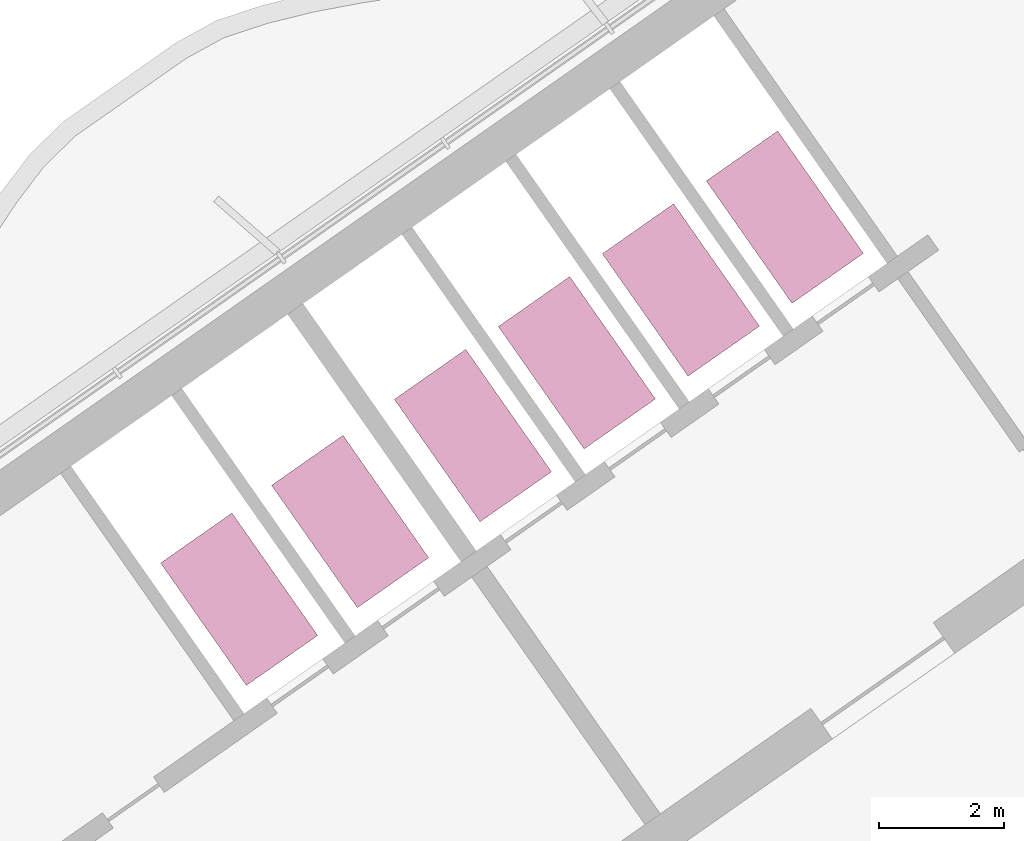
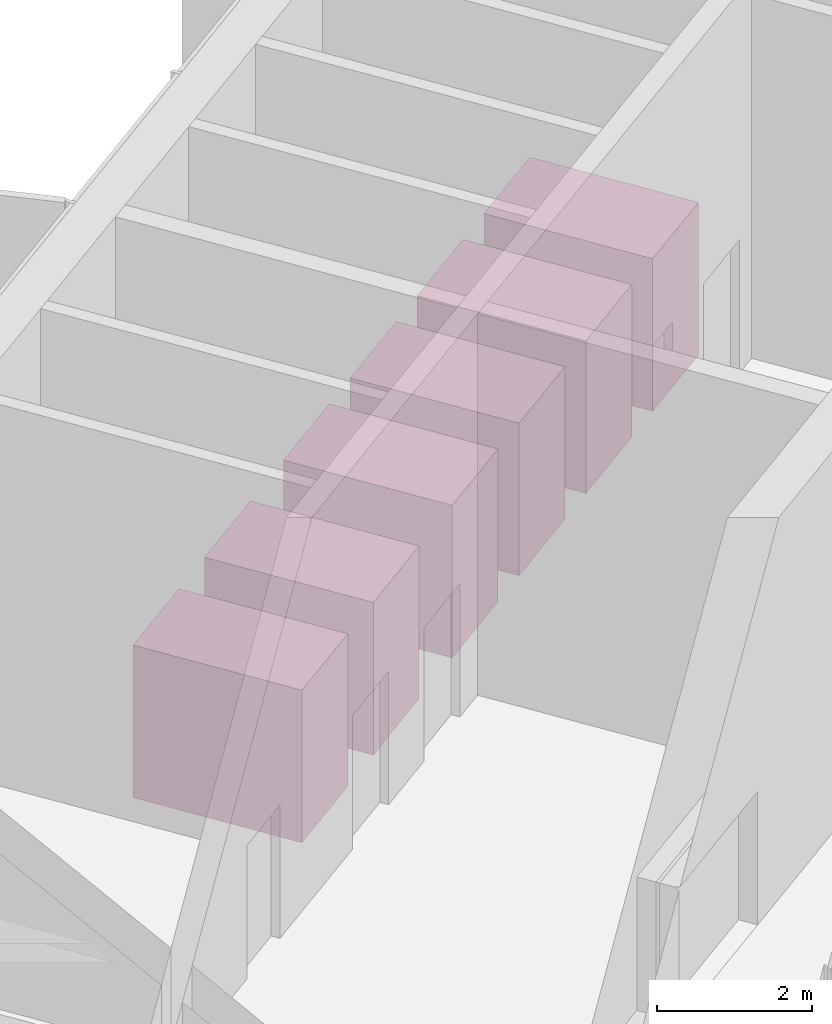
# One storey, part 22 of 22: 6 transport elements.
"""IFC4 building model written with IfcOpenShell, lengths in metres."""

import ifcopenshell
import ifcopenshell.guid

model = None  # the IFC model being written
_history = None  # IfcOwnerHistory: only IFC2X3 demands one
_inside = {}  # id of a spatial element -> (the spatial element, [elements in it])
_under = {}  # id of a project, library or spatial element -> (it, [spatial elements below it])
_declared = {}  # id of a project -> (the project, [libraries it declares])
_typed = {}  # id of a type object -> (the type object, [elements of that type])
_made_of = {}  # id of a material, layer set ... -> (it, [elements and type objects made of it])


def new_model(schema):
    """Start an empty IFC model of exactly this schema.

    Asked for "IFC4X3", IfcOpenShell would pick the latest addendum, in which some entities
    have other attributes; the version numbers below select the first issue.
    IFC2X3 requires an IfcOwnerHistory on every rooted entity: one is made here for all.
    """
    global model, _history
    if schema == "IFC4X3":
        model = ifcopenshell.file(schema_version=(4, 3, 0, 0))
    else:
        model = ifcopenshell.file(schema=schema)
    _inside.clear()
    _under.clear()
    _declared.clear()
    _typed.clear()
    _made_of.clear()
    _history = None
    if model.schema == "IFC2X3":
        org = make("IfcOrganization", Name="unknown")
        user = make(
            "IfcPersonAndOrganization",
            ThePerson=make("IfcPerson", FamilyName="unknown"),
            TheOrganization=org,
        )
        app = make(
            "IfcApplication",
            ApplicationDeveloper=org,
            Version="unknown",
            ApplicationFullName="unknown",
            ApplicationIdentifier="unknown",
        )
        _history = make(
            "IfcOwnerHistory",
            OwningUser=user,
            OwningApplication=app,
            ChangeAction="ADDED",
            CreationDate=0,
        )
    return model


def make(cls, **values):
    """One entity of the class cls with the attributes given. An attribute that is None is left unset."""
    return model.create_entity(
        cls, **{name: value for name, value in values.items() if value is not None}
    )


def rooted(cls, **values):
    """An entity with a GlobalId (a new one), such as an element, a storey or a relation."""
    return make(cls, GlobalId=ifcopenshell.guid.new(), OwnerHistory=_history, **values)


def si_unit(unit_type, name, prefix=None):
    """IfcSIUnit, for example si_unit("LENGTHUNIT", "METRE", prefix="MILLI")."""
    return make("IfcSIUnit", UnitType=unit_type, Prefix=prefix, Name=name)


def assignment(units):
    """IfcUnitAssignment: the units of a project."""
    return None if units is None else make("IfcUnitAssignment", Units=units)


def point(xyz):
    """IfcCartesianPoint."""
    return None if xyz is None else make("IfcCartesianPoint", Coordinates=xyz)


def direction(xyz):
    """IfcDirection."""
    return None if xyz is None else make("IfcDirection", DirectionRatios=xyz)


def frame(location, z_axis=None, x_axis=None):
    """IfcAxis2Placement3D, a coordinate frame: its origin and axes. An axis left out is left unset."""
    return make(
        "IfcAxis2Placement3D",
        Location=point(location),
        Axis=direction(z_axis),
        RefDirection=direction(x_axis),
    )


def frame_2d(location, x_axis=None):
    """IfcAxis2Placement2D, a coordinate frame in the plane: its origin and x axis."""
    return make(
        "IfcAxis2Placement2D", Location=point(location), RefDirection=direction(x_axis)
    )


def origin():
    """The frame at (0, 0, 0) with its axes left unset."""
    return frame((0.0, 0.0, 0.0))


def origin_2d():
    """The frame at (0, 0) in the plane with its x axis left unset."""
    return frame_2d((0.0, 0.0))


def place(relative_to, where):
    """IfcLocalPlacement: puts the frame where relative to a parent placement (None: the world)."""
    return make(
        "IfcLocalPlacement", PlacementRelTo=relative_to, RelativePlacement=where
    )


def context(
    kind, dimensions, precision=None, world=None, true_north=None, identifier=None
):
    """IfcGeometricRepresentationContext, for example the 3D "Model" context."""
    return make(
        "IfcGeometricRepresentationContext",
        ContextIdentifier=identifier,
        ContextType=kind,
        CoordinateSpaceDimension=dimensions,
        Precision=precision,
        WorldCoordinateSystem=world,
        TrueNorth=true_north,
    )


def subcontext(parent, identifier, kind, view, scale=None):
    """IfcGeometricRepresentationSubContext, for example "Body" below "Model"."""
    return make(
        "IfcGeometricRepresentationSubContext",
        ContextIdentifier=identifier,
        ContextType=kind,
        ParentContext=parent,
        TargetScale=scale,
        TargetView=view,
    )


def project(units=None, contexts=None):
    """IfcProject with its units and contexts."""
    return rooted(
        "IfcProject",
        Name="project",
        RepresentationContexts=contexts,
        UnitsInContext=assignment(units),
    )


def spatial(cls, under=None, at=None, **own):
    """A site, building, storey or space (cls), placed at a placement, below another one or the project."""
    s = rooted(cls, ObjectPlacement=at, **own)
    if under is not None:
        _under.setdefault(under.id(), (under, []))[1].append(s)
    return s


def profile(cls, at=None, kind="AREA", **sizes):
    """A parametric profile (cls). Its sizes go by their IFC names, for example OverallWidth=200.0."""
    return make(cls, ProfileType=kind, Position=at, **sizes)


def rectangle(**sizes):
    """IfcRectangleProfileDef."""
    return profile("IfcRectangleProfileDef", **sizes)


def extrude(swept, where, along, depth):
    """IfcExtrudedAreaSolid: the profile swept, set in the frame where, extruded along a direction by depth."""
    return make(
        "IfcExtrudedAreaSolid",
        SweptArea=swept,
        Position=where,
        ExtrudedDirection=direction(along),
        Depth=depth,
    )


def shape(context_of_items, identifier, shape_type, items):
    """IfcShapeRepresentation: the items that make up one representation, for example the "Body"."""
    return make(
        "IfcShapeRepresentation",
        ContextOfItems=context_of_items,
        RepresentationIdentifier=identifier,
        RepresentationType=shape_type,
        Items=items,
    )


def material(Name=None, Category=None):
    """IfcMaterial."""
    return make("IfcMaterial", Name=Name, Category=Category)


def made_of(thing, what):
    """Note that an element or type object is made of a material, layer set ...; save() writes the relation."""
    if what is not None:
        _made_of.setdefault(what.id(), (what, []))[1].append(thing)
    return thing


def type_object(cls, material=None, **own):
    """A type object (cls), such as IfcWallType, which elements share."""
    return made_of(rooted(cls, **own), material)


def element(
    cls,
    number,
    at=None,
    inside=None,
    cuts=None,
    type_object=None,
    material=None,
    context=None,
    identifier="Body",
    shape_type=None,
    held_by="IfcProductDefinitionShape",
    body=None,
    shapes=None,
    **own,
):
    """One element of the class cls, such as IfcWall. Its Tag is "e" and its number.

    at: its placement. inside: the storey or other place that contains it. cuts: it is an
    opening in that element (IfcRelVoidsElement). A single representation is given by context,
    identifier, shape_type and body (its items); several are given by shapes. held_by: the class
    of the entity that holds the representations. save() writes the other relations.
    """
    e = rooted(cls, Tag="e%d" % number, ObjectPlacement=at, **own)
    if body is not None:
        shapes = [shape(context, identifier, shape_type, body)]
    if shapes is not None:
        e.Representation = make(held_by, Representations=shapes)
    if inside is not None:
        _inside.setdefault(inside.id(), (inside, []))[1].append(e)
    if cuts is not None:
        rooted(
            "IfcRelVoidsElement", RelatingBuildingElement=cuts, RelatedOpeningElement=e
        )
    if type_object is not None:
        _typed.setdefault(type_object.id(), (type_object, []))[1].append(e)
    return made_of(e, material)


def aggregate(whole, parts):
    """IfcRelAggregates: a whole, such as a stair, and the parts it consists of."""
    return rooted("IfcRelAggregates", RelatingObject=whole, RelatedObjects=parts)


def save(model, path):
    """Write the relations noted so far, then the file.

    IfcRelAggregates (storeys below a building ...), IfcRelContainedInSpatialStructure (elements
    in a storey), IfcRelDefinesByType, IfcRelAssociatesMaterial and IfcRelDeclares: one each for
    every whole, place, type object, material and project.
    """
    for whole, parts in _under.values():
        aggregate(whole, parts)
    for where, things in _inside.values():
        rooted(
            "IfcRelContainedInSpatialStructure",
            RelatedElements=things,
            RelatingStructure=where,
        )
    for kind, things in _typed.values():
        rooted("IfcRelDefinesByType", RelatedObjects=things, RelatingType=kind)
    for what, things in _made_of.values():
        rooted("IfcRelAssociatesMaterial", RelatedObjects=things, RelatingMaterial=what)
    for by, libraries in _declared.values():
        rooted("IfcRelDeclares", RelatingContext=by, RelatedDefinitions=libraries)
    model.write(path)


model = new_model("IFC4")

# Units and contexts
model_context = context("Model", 3, precision=1e-05, world=origin(), true_north=direction((0.0, 1.0)))
body_context = subcontext(model_context, "Body", "Model", "MODEL_VIEW")
ifc_project = project(units=[si_unit("LENGTHUNIT", "METRE"), si_unit("AREAUNIT", "SQUARE_METRE"), si_unit("VOLUMEUNIT", "CUBIC_METRE"), si_unit("PLANEANGLEUNIT", "RADIAN"), si_unit("MASSUNIT", "GRAM", prefix="KILO")], contexts=[model_context])

# Site, building, storey
site_placement = place(None, origin())
site = spatial("IfcSite", under=ifc_project, at=site_placement, CompositionType="ELEMENT")
building_placement = place(site_placement, origin())
building = spatial("IfcBuilding", under=site, at=building_placement, Name="Tel Ilan Convention Tower", CompositionType="ELEMENT")
storey_placement = place(building_placement, frame((0.0, 0.0, 219.39990234375)))
storey = spatial("IfcBuildingStorey", under=building, at=storey_placement, Name="L51", CompositionType="ELEMENT", Elevation=219.39990234375)

# Transport elements
ifc_material = material(Name="Stainless Steel Grade 316", Category="steel")
transport_element_type = type_object("IfcTransportElementType", Name="Passenger Lift Car 1600 kg 1400 x 2400", PredefinedType="ELEVATOR", material=ifc_material)
for number, where, z_axis, x_axis, name in (
    (1, (-5.021484375, 4.1748046875, 0.000244140625), (0.0, 0.0, 1.0), (-0.819152044289, -0.573576436351, 0.0), "Lift HR1"),
    (2, (-6.6904296875, 3.006103515625, 0.000244140625), (0.0, 0.0, 1.0), (-0.819152044289, -0.573576436351, 0.0), "Lift HR2"),
    (3, (-8.359619140625, 1.83740234375, 0.000244140625), (0.0, 0.0, 1.0), (-0.819152044289, -0.573576436351, 0.0), "Lift HR3"),
    (4, (-10.028564453125, 0.668701171875, 0.000244140625), (0.0, 0.0, 1.0), (-0.819152044289, -0.573576436351, 0.0), "Lift HR4"),
    (5, (-11.99951171875, -0.711181640625, 0.000244140625), (0.0, 0.0, 1.0), (-0.819152044289, -0.573576436351, 0.0), "Lift HR5"),
    (6, (-13.78125, -1.958984375, 0.000244140625), (0.0, 0.0, 1.0), (-0.819152044289, -0.573576436351, 0.0), "Lift HR6"),
):
    element("IfcTransportElement", number, at=place(storey_placement, frame(where, z_axis=z_axis, x_axis=x_axis)), inside=storey, type_object=transport_element_type, Name=name, PredefinedType="ELEVATOR", context=body_context, shape_type="SweptSolid", body=[
        extrude(rectangle(XDim=1.39990234375, YDim=2.39990234375, at=origin_2d()), origin(), (0.0, 0.0, 1.0), 2.39990234375),
    ])

save(model, "model.ifc")
